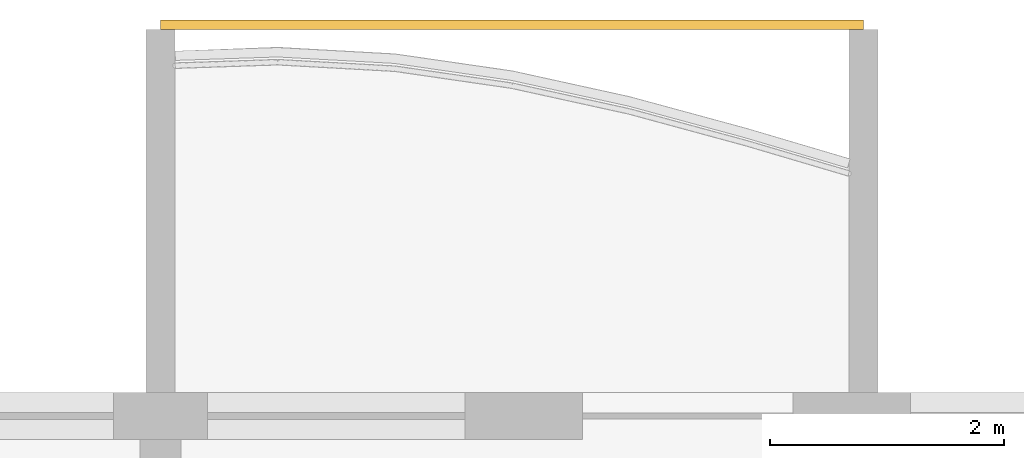
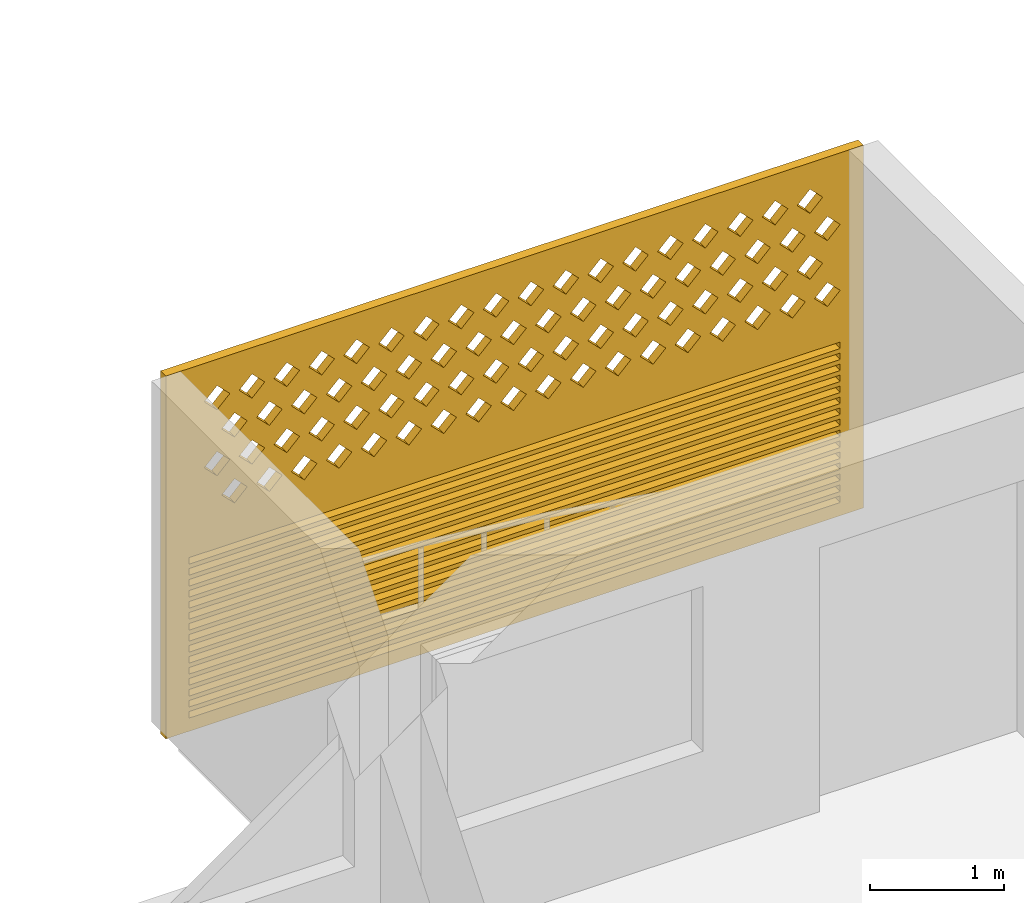
# One storey, part 21 of 26: 1 covering.
"""IFC4 building model written with IfcOpenShell, lengths in metres."""

from ifc_helpers import new_model, si_unit, direction, frame, origin, place, context, subcontext, project, spatial, polyline, outline, extrude, source, transform, mapped, material, material_profile, profile_set, type_object, element, save


model = new_model("IFC4")

# Units and contexts
model_context = context("Model", 3, precision=1e-05, world=origin(), true_north=direction((0.0, 1.0)))
body_context = subcontext(model_context, "Body", "Model", "MODEL_VIEW")
ifc_project = project(units=[si_unit("LENGTHUNIT", "METRE"), si_unit("AREAUNIT", "SQUARE_METRE"), si_unit("VOLUMEUNIT", "CUBIC_METRE"), si_unit("PLANEANGLEUNIT", "RADIAN"), si_unit("MASSUNIT", "GRAM", prefix="KILO")], contexts=[model_context])

# Site, building, storey
site_placement = place(None, origin())
site = spatial("IfcSite", under=ifc_project, at=site_placement, CompositionType="ELEMENT")
building_placement = place(site_placement, origin())
building = spatial("IfcBuilding", under=site, at=building_placement, Name="Poui Terraces", CompositionType="ELEMENT")
storey_placement = place(building_placement, frame((0.0, 0.0, 96.0)))
storey = spatial("IfcBuildingStorey", under=building, at=storey_placement, Name="L26", CompositionType="ELEMENT", Elevation=96.0)

# Covering
ifc_material = material(Name="Terracotta screen", Category="masonry")
ifc_material_profile = material_profile(ifc_material, outline(polyline([(-3.0, -1.64990234375), (3.0, -1.64990234375), (3.0, 1.64990234375), (-3.0, 1.64990234375), (-3.0, -1.64990234375)]), holes=[polyline([(-2.800048828125, 0.39990234375), (-2.68994140625, 0.2900390625), (-2.580078125, 0.39990234375), (-2.68994140625, 0.510009765625), (-2.800048828125, 0.39990234375)]), polyline([(-2.5, 0.39990234375), (-2.389892578125, 0.2900390625), (-2.280029296875, 0.39990234375), (-2.389892578125, 0.510009765625), (-2.5, 0.39990234375)]), polyline([(-2.199951171875, 0.39990234375), (-2.090087890625, 0.2900390625), (-1.97998046875, 0.39990234375), (-2.090087890625, 0.510009765625), (-2.199951171875, 0.39990234375)]), polyline([(-1.89990234375, 0.39990234375), (-1.7900390625, 0.2900390625), (-1.679931640625, 0.39990234375), (-1.7900390625, 0.510009765625), (-1.89990234375, 0.39990234375)]), polyline([(-1.60009765625, 0.39990234375), (-1.489990234375, 0.2900390625), (-1.3798828125, 0.39990234375), (-1.489990234375, 0.510009765625), (-1.60009765625, 0.39990234375)]), polyline([(-1.300048828125, 0.39990234375), (-1.18994140625, 0.2900390625), (-1.080078125, 0.39990234375), (-1.18994140625, 0.510009765625), (-1.300048828125, 0.39990234375)]), polyline([(-1.0, 0.39990234375), (-0.889892578125, 0.2900390625), (-0.780029296875, 0.39990234375), (-0.889892578125, 0.510009765625), (-1.0, 0.39990234375)]), polyline([(-0.699951171875, 0.39990234375), (-0.590087890625, 0.2900390625), (-0.47998046875, 0.39990234375), (-0.590087890625, 0.510009765625), (-0.699951171875, 0.39990234375)]), polyline([(-0.39990234375, 0.39990234375), (-0.2900390625, 0.2900390625), (-0.179931640625, 0.39990234375), (-0.2900390625, 0.510009765625), (-0.39990234375, 0.39990234375)]), polyline([(-0.10009765625, 0.39990234375), (0.010009765625, 0.2900390625), (0.1201171875, 0.39990234375), (0.010009765625, 0.510009765625), (-0.10009765625, 0.39990234375)]), polyline([(0.199951171875, 0.39990234375), (0.31005859375, 0.2900390625), (0.419921875, 0.39990234375), (0.31005859375, 0.510009765625), (0.199951171875, 0.39990234375)]), polyline([(0.5, 0.39990234375), (0.610107421875, 0.2900390625), (0.719970703125, 0.39990234375), (0.610107421875, 0.510009765625), (0.5, 0.39990234375)]), polyline([(0.800048828125, 0.39990234375), (0.909912109375, 0.2900390625), (1.02001953125, 0.39990234375), (0.909912109375, 0.510009765625), (0.800048828125, 0.39990234375)]), polyline([(1.10009765625, 0.39990234375), (1.2099609375, 0.2900390625), (1.320068359375, 0.39990234375), (1.2099609375, 0.510009765625), (1.10009765625, 0.39990234375)]), polyline([(1.39990234375, 0.39990234375), (1.510009765625, 0.2900390625), (1.6201171875, 0.39990234375), (1.510009765625, 0.510009765625), (1.39990234375, 0.39990234375)]), polyline([(1.699951171875, 0.39990234375), (1.81005859375, 0.2900390625), (1.919921875, 0.39990234375), (1.81005859375, 0.510009765625), (1.699951171875, 0.39990234375)]), polyline([(2.0, 0.39990234375), (2.110107421875, 0.2900390625), (2.219970703125, 0.39990234375), (2.110107421875, 0.510009765625), (2.0, 0.39990234375)]), polyline([(2.300048828125, 0.39990234375), (2.409912109375, 0.2900390625), (2.52001953125, 0.39990234375), (2.409912109375, 0.510009765625), (2.300048828125, 0.39990234375)]), polyline([(-2.64990234375, 0.699951171875), (-2.5400390625, 0.590087890625), (-2.429931640625, 0.699951171875), (-2.5400390625, 0.81005859375), (-2.64990234375, 0.699951171875)]), polyline([(-2.35009765625, 0.699951171875), (-2.239990234375, 0.590087890625), (-2.1298828125, 0.699951171875), (-2.239990234375, 0.81005859375), (-2.35009765625, 0.699951171875)]), polyline([(-2.050048828125, 0.699951171875), (-1.93994140625, 0.590087890625), (-1.830078125, 0.699951171875), (-1.93994140625, 0.81005859375), (-2.050048828125, 0.699951171875)]), polyline([(-1.75, 0.699951171875), (-1.639892578125, 0.590087890625), (-1.530029296875, 0.699951171875), (-1.639892578125, 0.81005859375), (-1.75, 0.699951171875)]), polyline([(-1.449951171875, 0.699951171875), (-1.340087890625, 0.590087890625), (-1.22998046875, 0.699951171875), (-1.340087890625, 0.81005859375), (-1.449951171875, 0.699951171875)]), polyline([(-1.14990234375, 0.699951171875), (-1.0400390625, 0.590087890625), (-0.929931640625, 0.699951171875), (-1.0400390625, 0.81005859375), (-1.14990234375, 0.699951171875)]), polyline([(-0.85009765625, 0.699951171875), (-0.739990234375, 0.590087890625), (-0.6298828125, 0.699951171875), (-0.739990234375, 0.81005859375), (-0.85009765625, 0.699951171875)]), polyline([(-0.550048828125, 0.699951171875), (-0.43994140625, 0.590087890625), (-0.330078125, 0.699951171875), (-0.43994140625, 0.81005859375), (-0.550048828125, 0.699951171875)]), polyline([(-0.25, 0.699951171875), (-0.139892578125, 0.590087890625), (-0.030029296875, 0.699951171875), (-0.139892578125, 0.81005859375), (-0.25, 0.699951171875)]), polyline([(0.050048828125, 0.699951171875), (0.159912109375, 0.590087890625), (0.27001953125, 0.699951171875), (0.159912109375, 0.81005859375), (0.050048828125, 0.699951171875)]), polyline([(0.35009765625, 0.699951171875), (0.4599609375, 0.590087890625), (0.570068359375, 0.699951171875), (0.4599609375, 0.81005859375), (0.35009765625, 0.699951171875)]), polyline([(0.64990234375, 0.699951171875), (0.760009765625, 0.590087890625), (0.8701171875, 0.699951171875), (0.760009765625, 0.81005859375), (0.64990234375, 0.699951171875)]), polyline([(0.949951171875, 0.699951171875), (1.06005859375, 0.590087890625), (1.169921875, 0.699951171875), (1.06005859375, 0.81005859375), (0.949951171875, 0.699951171875)]), polyline([(1.25, 0.699951171875), (1.360107421875, 0.590087890625), (1.469970703125, 0.699951171875), (1.360107421875, 0.81005859375), (1.25, 0.699951171875)]), polyline([(1.550048828125, 0.699951171875), (1.659912109375, 0.590087890625), (1.77001953125, 0.699951171875), (1.659912109375, 0.81005859375), (1.550048828125, 0.699951171875)]), polyline([(1.85009765625, 0.699951171875), (1.9599609375, 0.590087890625), (2.070068359375, 0.699951171875), (1.9599609375, 0.81005859375), (1.85009765625, 0.699951171875)]), polyline([(2.14990234375, 0.699951171875), (2.260009765625, 0.590087890625), (2.3701171875, 0.699951171875), (2.260009765625, 0.81005859375), (2.14990234375, 0.699951171875)]), polyline([(2.449951171875, 0.699951171875), (2.56005859375, 0.590087890625), (2.669921875, 0.699951171875), (2.56005859375, 0.81005859375), (2.449951171875, 0.699951171875)]), polyline([(-2.800048828125, 1.0), (-2.68994140625, 0.889892578125), (-2.580078125, 1.0), (-2.68994140625, 1.110107421875), (-2.800048828125, 1.0)]), polyline([(-2.5, 1.0), (-2.389892578125, 0.889892578125), (-2.280029296875, 1.0), (-2.389892578125, 1.110107421875), (-2.5, 1.0)]), polyline([(-2.199951171875, 1.0), (-2.090087890625, 0.889892578125), (-1.97998046875, 1.0), (-2.090087890625, 1.110107421875), (-2.199951171875, 1.0)]), polyline([(-1.89990234375, 1.0), (-1.7900390625, 0.889892578125), (-1.679931640625, 1.0), (-1.7900390625, 1.110107421875), (-1.89990234375, 1.0)]), polyline([(-1.60009765625, 1.0), (-1.489990234375, 0.889892578125), (-1.3798828125, 1.0), (-1.489990234375, 1.110107421875), (-1.60009765625, 1.0)]), polyline([(-1.300048828125, 1.0), (-1.18994140625, 0.889892578125), (-1.080078125, 1.0), (-1.18994140625, 1.110107421875), (-1.300048828125, 1.0)]), polyline([(-1.0, 1.0), (-0.889892578125, 0.889892578125), (-0.780029296875, 1.0), (-0.889892578125, 1.110107421875), (-1.0, 1.0)]), polyline([(-0.699951171875, 1.0), (-0.590087890625, 0.889892578125), (-0.47998046875, 1.0), (-0.590087890625, 1.110107421875), (-0.699951171875, 1.0)]), polyline([(-0.39990234375, 1.0), (-0.2900390625, 0.889892578125), (-0.179931640625, 1.0), (-0.2900390625, 1.110107421875), (-0.39990234375, 1.0)]), polyline([(-0.10009765625, 1.0), (0.010009765625, 0.889892578125), (0.1201171875, 1.0), (0.010009765625, 1.110107421875), (-0.10009765625, 1.0)]), polyline([(0.199951171875, 1.0), (0.31005859375, 0.889892578125), (0.419921875, 1.0), (0.31005859375, 1.110107421875), (0.199951171875, 1.0)]), polyline([(0.5, 1.0), (0.610107421875, 0.889892578125), (0.719970703125, 1.0), (0.610107421875, 1.110107421875), (0.5, 1.0)]), polyline([(0.800048828125, 1.0), (0.909912109375, 0.889892578125), (1.02001953125, 1.0), (0.909912109375, 1.110107421875), (0.800048828125, 1.0)]), polyline([(1.10009765625, 1.0), (1.2099609375, 0.889892578125), (1.320068359375, 1.0), (1.2099609375, 1.110107421875), (1.10009765625, 1.0)]), polyline([(1.39990234375, 1.0), (1.510009765625, 0.889892578125), (1.6201171875, 1.0), (1.510009765625, 1.110107421875), (1.39990234375, 1.0)]), polyline([(1.699951171875, 1.0), (1.81005859375, 0.889892578125), (1.919921875, 1.0), (1.81005859375, 1.110107421875), (1.699951171875, 1.0)]), polyline([(2.0, 1.0), (2.110107421875, 0.889892578125), (2.219970703125, 1.0), (2.110107421875, 1.110107421875), (2.0, 1.0)]), polyline([(2.300048828125, 1.0), (2.409912109375, 0.889892578125), (2.52001953125, 1.0), (2.409912109375, 1.110107421875), (2.300048828125, 1.0)]), polyline([(-2.64990234375, 1.300048828125), (-2.5400390625, 1.18994140625), (-2.429931640625, 1.300048828125), (-2.5400390625, 1.409912109375), (-2.64990234375, 1.300048828125)]), polyline([(-2.35009765625, 1.300048828125), (-2.239990234375, 1.18994140625), (-2.1298828125, 1.300048828125), (-2.239990234375, 1.409912109375), (-2.35009765625, 1.300048828125)]), polyline([(-2.050048828125, 1.300048828125), (-1.93994140625, 1.18994140625), (-1.830078125, 1.300048828125), (-1.93994140625, 1.409912109375), (-2.050048828125, 1.300048828125)]), polyline([(-1.75, 1.300048828125), (-1.639892578125, 1.18994140625), (-1.530029296875, 1.300048828125), (-1.639892578125, 1.409912109375), (-1.75, 1.300048828125)]), polyline([(-1.449951171875, 1.300048828125), (-1.340087890625, 1.18994140625), (-1.22998046875, 1.300048828125), (-1.340087890625, 1.409912109375), (-1.449951171875, 1.300048828125)]), polyline([(-1.14990234375, 1.300048828125), (-1.0400390625, 1.18994140625), (-0.929931640625, 1.300048828125), (-1.0400390625, 1.409912109375), (-1.14990234375, 1.300048828125)]), polyline([(-0.85009765625, 1.300048828125), (-0.739990234375, 1.18994140625), (-0.6298828125, 1.300048828125), (-0.739990234375, 1.409912109375), (-0.85009765625, 1.300048828125)]), polyline([(-0.550048828125, 1.300048828125), (-0.43994140625, 1.18994140625), (-0.330078125, 1.300048828125), (-0.43994140625, 1.409912109375), (-0.550048828125, 1.300048828125)]), polyline([(-0.25, 1.300048828125), (-0.139892578125, 1.18994140625), (-0.030029296875, 1.300048828125), (-0.139892578125, 1.409912109375), (-0.25, 1.300048828125)]), polyline([(0.050048828125, 1.300048828125), (0.159912109375, 1.18994140625), (0.27001953125, 1.300048828125), (0.159912109375, 1.409912109375), (0.050048828125, 1.300048828125)]), polyline([(0.35009765625, 1.300048828125), (0.4599609375, 1.18994140625), (0.570068359375, 1.300048828125), (0.4599609375, 1.409912109375), (0.35009765625, 1.300048828125)]), polyline([(0.64990234375, 1.300048828125), (0.760009765625, 1.18994140625), (0.8701171875, 1.300048828125), (0.760009765625, 1.409912109375), (0.64990234375, 1.300048828125)]), polyline([(0.949951171875, 1.300048828125), (1.06005859375, 1.18994140625), (1.169921875, 1.300048828125), (1.06005859375, 1.409912109375), (0.949951171875, 1.300048828125)]), polyline([(1.25, 1.300048828125), (1.360107421875, 1.18994140625), (1.469970703125, 1.300048828125), (1.360107421875, 1.409912109375), (1.25, 1.300048828125)]), polyline([(1.550048828125, 1.300048828125), (1.659912109375, 1.18994140625), (1.77001953125, 1.300048828125), (1.659912109375, 1.409912109375), (1.550048828125, 1.300048828125)]), polyline([(1.85009765625, 1.300048828125), (1.9599609375, 1.18994140625), (2.070068359375, 1.300048828125), (1.9599609375, 1.409912109375), (1.85009765625, 1.300048828125)]), polyline([(2.14990234375, 1.300048828125), (2.260009765625, 1.18994140625), (2.3701171875, 1.300048828125), (2.260009765625, 1.409912109375), (2.14990234375, 1.300048828125)]), polyline([(2.449951171875, 1.300048828125), (2.56005859375, 1.18994140625), (2.669921875, 1.300048828125), (2.56005859375, 1.409912109375), (2.449951171875, 1.300048828125)]), polyline([(-2.800048828125, -1.530029296875), (2.800048828125, -1.530029296875), (2.800048828125, -1.469970703125), (-2.800048828125, -1.469970703125), (-2.800048828125, -1.530029296875)]), polyline([(-2.800048828125, -1.429931640625), (2.800048828125, -1.429931640625), (2.800048828125, -1.3701171875), (-2.800048828125, -1.3701171875), (-2.800048828125, -1.429931640625)]), polyline([(-2.800048828125, -1.330078125), (2.800048828125, -1.330078125), (2.800048828125, -1.27001953125), (-2.800048828125, -1.27001953125), (-2.800048828125, -1.330078125)]), polyline([(-2.800048828125, -1.22998046875), (2.800048828125, -1.22998046875), (2.800048828125, -1.169921875), (-2.800048828125, -1.169921875), (-2.800048828125, -1.22998046875)]), polyline([(-2.800048828125, -1.1298828125), (2.800048828125, -1.1298828125), (2.800048828125, -1.070068359375), (-2.800048828125, -1.070068359375), (-2.800048828125, -1.1298828125)]), polyline([(-2.800048828125, -1.030029296875), (2.800048828125, -1.030029296875), (2.800048828125, -0.969970703125), (-2.800048828125, -0.969970703125), (-2.800048828125, -1.030029296875)]), polyline([(-2.800048828125, -0.929931640625), (2.800048828125, -0.929931640625), (2.800048828125, -0.8701171875), (-2.800048828125, -0.8701171875), (-2.800048828125, -0.929931640625)]), polyline([(-2.800048828125, -0.830078125), (2.800048828125, -0.830078125), (2.800048828125, -0.77001953125), (-2.800048828125, -0.77001953125), (-2.800048828125, -0.830078125)]), polyline([(-2.800048828125, -0.72998046875), (2.800048828125, -0.72998046875), (2.800048828125, -0.669921875), (-2.800048828125, -0.669921875), (-2.800048828125, -0.72998046875)]), polyline([(-2.800048828125, -0.6298828125), (2.800048828125, -0.6298828125), (2.800048828125, -0.570068359375), (-2.800048828125, -0.570068359375), (-2.800048828125, -0.6298828125)]), polyline([(-2.800048828125, -0.530029296875), (2.800048828125, -0.530029296875), (2.800048828125, -0.469970703125), (-2.800048828125, -0.469970703125), (-2.800048828125, -0.530029296875)]), polyline([(-2.800048828125, -0.429931640625), (2.800048828125, -0.429931640625), (2.800048828125, -0.3701171875), (-2.800048828125, -0.3701171875), (-2.800048828125, -0.429931640625)]), polyline([(-2.800048828125, -0.330078125), (2.800048828125, -0.330078125), (2.800048828125, -0.27001953125), (-2.800048828125, -0.27001953125), (-2.800048828125, -0.330078125)]), polyline([(-2.800048828125, -0.22998046875), (2.800048828125, -0.22998046875), (2.800048828125, -0.169921875), (-2.800048828125, -0.169921875), (-2.800048828125, -0.22998046875)]), polyline([(-2.800048828125, -0.1298828125), (2.800048828125, -0.1298828125), (2.800048828125, -0.070068359375), (-2.800048828125, -0.070068359375), (-2.800048828125, -0.1298828125)])]), Name="TERRACOTTA SCREEN AND JALOUSIE LOUVRE 6000X3300")
ifc_profile_set = profile_set([ifc_material_profile], Name="Terracotta screen")
covering_type = type_object("IfcCoveringType", Name="TERRACOTTA SCREEN AND JALOUSIE LOUVRE 6000X3300", PredefinedType="CLADDING", material=ifc_profile_set)
shared_shape = source(origin(), body_context, "Body", "SweptSolid", [
    extrude(outline(polyline([(-3.0, -1.64990234375), (3.0, -1.64990234375), (3.0, 1.64990234375), (-3.0, 1.64990234375), (-3.0, -1.64990234375)]), holes=[polyline([(-2.800048828125, 0.39990234375), (-2.68994140625, 0.2900390625), (-2.580078125, 0.39990234375), (-2.68994140625, 0.510009765625), (-2.800048828125, 0.39990234375)]), polyline([(-2.5, 0.39990234375), (-2.389892578125, 0.2900390625), (-2.280029296875, 0.39990234375), (-2.389892578125, 0.510009765625), (-2.5, 0.39990234375)]), polyline([(-2.199951171875, 0.39990234375), (-2.090087890625, 0.2900390625), (-1.97998046875, 0.39990234375), (-2.090087890625, 0.510009765625), (-2.199951171875, 0.39990234375)]), polyline([(-1.89990234375, 0.39990234375), (-1.7900390625, 0.2900390625), (-1.679931640625, 0.39990234375), (-1.7900390625, 0.510009765625), (-1.89990234375, 0.39990234375)]), polyline([(-1.60009765625, 0.39990234375), (-1.489990234375, 0.2900390625), (-1.3798828125, 0.39990234375), (-1.489990234375, 0.510009765625), (-1.60009765625, 0.39990234375)]), polyline([(-1.300048828125, 0.39990234375), (-1.18994140625, 0.2900390625), (-1.080078125, 0.39990234375), (-1.18994140625, 0.510009765625), (-1.300048828125, 0.39990234375)]), polyline([(-1.0, 0.39990234375), (-0.889892578125, 0.2900390625), (-0.780029296875, 0.39990234375), (-0.889892578125, 0.510009765625), (-1.0, 0.39990234375)]), polyline([(-0.699951171875, 0.39990234375), (-0.590087890625, 0.2900390625), (-0.47998046875, 0.39990234375), (-0.590087890625, 0.510009765625), (-0.699951171875, 0.39990234375)]), polyline([(-0.39990234375, 0.39990234375), (-0.2900390625, 0.2900390625), (-0.179931640625, 0.39990234375), (-0.2900390625, 0.510009765625), (-0.39990234375, 0.39990234375)]), polyline([(-0.10009765625, 0.39990234375), (0.010009765625, 0.2900390625), (0.1201171875, 0.39990234375), (0.010009765625, 0.510009765625), (-0.10009765625, 0.39990234375)]), polyline([(0.199951171875, 0.39990234375), (0.31005859375, 0.2900390625), (0.419921875, 0.39990234375), (0.31005859375, 0.510009765625), (0.199951171875, 0.39990234375)]), polyline([(0.5, 0.39990234375), (0.610107421875, 0.2900390625), (0.719970703125, 0.39990234375), (0.610107421875, 0.510009765625), (0.5, 0.39990234375)]), polyline([(0.800048828125, 0.39990234375), (0.909912109375, 0.2900390625), (1.02001953125, 0.39990234375), (0.909912109375, 0.510009765625), (0.800048828125, 0.39990234375)]), polyline([(1.10009765625, 0.39990234375), (1.2099609375, 0.2900390625), (1.320068359375, 0.39990234375), (1.2099609375, 0.510009765625), (1.10009765625, 0.39990234375)]), polyline([(1.39990234375, 0.39990234375), (1.510009765625, 0.2900390625), (1.6201171875, 0.39990234375), (1.510009765625, 0.510009765625), (1.39990234375, 0.39990234375)]), polyline([(1.699951171875, 0.39990234375), (1.81005859375, 0.2900390625), (1.919921875, 0.39990234375), (1.81005859375, 0.510009765625), (1.699951171875, 0.39990234375)]), polyline([(2.0, 0.39990234375), (2.110107421875, 0.2900390625), (2.219970703125, 0.39990234375), (2.110107421875, 0.510009765625), (2.0, 0.39990234375)]), polyline([(2.300048828125, 0.39990234375), (2.409912109375, 0.2900390625), (2.52001953125, 0.39990234375), (2.409912109375, 0.510009765625), (2.300048828125, 0.39990234375)]), polyline([(-2.64990234375, 0.699951171875), (-2.5400390625, 0.590087890625), (-2.429931640625, 0.699951171875), (-2.5400390625, 0.81005859375), (-2.64990234375, 0.699951171875)]), polyline([(-2.35009765625, 0.699951171875), (-2.239990234375, 0.590087890625), (-2.1298828125, 0.699951171875), (-2.239990234375, 0.81005859375), (-2.35009765625, 0.699951171875)]), polyline([(-2.050048828125, 0.699951171875), (-1.93994140625, 0.590087890625), (-1.830078125, 0.699951171875), (-1.93994140625, 0.81005859375), (-2.050048828125, 0.699951171875)]), polyline([(-1.75, 0.699951171875), (-1.639892578125, 0.590087890625), (-1.530029296875, 0.699951171875), (-1.639892578125, 0.81005859375), (-1.75, 0.699951171875)]), polyline([(-1.449951171875, 0.699951171875), (-1.340087890625, 0.590087890625), (-1.22998046875, 0.699951171875), (-1.340087890625, 0.81005859375), (-1.449951171875, 0.699951171875)]), polyline([(-1.14990234375, 0.699951171875), (-1.0400390625, 0.590087890625), (-0.929931640625, 0.699951171875), (-1.0400390625, 0.81005859375), (-1.14990234375, 0.699951171875)]), polyline([(-0.85009765625, 0.699951171875), (-0.739990234375, 0.590087890625), (-0.6298828125, 0.699951171875), (-0.739990234375, 0.81005859375), (-0.85009765625, 0.699951171875)]), polyline([(-0.550048828125, 0.699951171875), (-0.43994140625, 0.590087890625), (-0.330078125, 0.699951171875), (-0.43994140625, 0.81005859375), (-0.550048828125, 0.699951171875)]), polyline([(-0.25, 0.699951171875), (-0.139892578125, 0.590087890625), (-0.030029296875, 0.699951171875), (-0.139892578125, 0.81005859375), (-0.25, 0.699951171875)]), polyline([(0.050048828125, 0.699951171875), (0.159912109375, 0.590087890625), (0.27001953125, 0.699951171875), (0.159912109375, 0.81005859375), (0.050048828125, 0.699951171875)]), polyline([(0.35009765625, 0.699951171875), (0.4599609375, 0.590087890625), (0.570068359375, 0.699951171875), (0.4599609375, 0.81005859375), (0.35009765625, 0.699951171875)]), polyline([(0.64990234375, 0.699951171875), (0.760009765625, 0.590087890625), (0.8701171875, 0.699951171875), (0.760009765625, 0.81005859375), (0.64990234375, 0.699951171875)]), polyline([(0.949951171875, 0.699951171875), (1.06005859375, 0.590087890625), (1.169921875, 0.699951171875), (1.06005859375, 0.81005859375), (0.949951171875, 0.699951171875)]), polyline([(1.25, 0.699951171875), (1.360107421875, 0.590087890625), (1.469970703125, 0.699951171875), (1.360107421875, 0.81005859375), (1.25, 0.699951171875)]), polyline([(1.550048828125, 0.699951171875), (1.659912109375, 0.590087890625), (1.77001953125, 0.699951171875), (1.659912109375, 0.81005859375), (1.550048828125, 0.699951171875)]), polyline([(1.85009765625, 0.699951171875), (1.9599609375, 0.590087890625), (2.070068359375, 0.699951171875), (1.9599609375, 0.81005859375), (1.85009765625, 0.699951171875)]), polyline([(2.14990234375, 0.699951171875), (2.260009765625, 0.590087890625), (2.3701171875, 0.699951171875), (2.260009765625, 0.81005859375), (2.14990234375, 0.699951171875)]), polyline([(2.449951171875, 0.699951171875), (2.56005859375, 0.590087890625), (2.669921875, 0.699951171875), (2.56005859375, 0.81005859375), (2.449951171875, 0.699951171875)]), polyline([(-2.800048828125, 1.0), (-2.68994140625, 0.889892578125), (-2.580078125, 1.0), (-2.68994140625, 1.110107421875), (-2.800048828125, 1.0)]), polyline([(-2.5, 1.0), (-2.389892578125, 0.889892578125), (-2.280029296875, 1.0), (-2.389892578125, 1.110107421875), (-2.5, 1.0)]), polyline([(-2.199951171875, 1.0), (-2.090087890625, 0.889892578125), (-1.97998046875, 1.0), (-2.090087890625, 1.110107421875), (-2.199951171875, 1.0)]), polyline([(-1.89990234375, 1.0), (-1.7900390625, 0.889892578125), (-1.679931640625, 1.0), (-1.7900390625, 1.110107421875), (-1.89990234375, 1.0)]), polyline([(-1.60009765625, 1.0), (-1.489990234375, 0.889892578125), (-1.3798828125, 1.0), (-1.489990234375, 1.110107421875), (-1.60009765625, 1.0)]), polyline([(-1.300048828125, 1.0), (-1.18994140625, 0.889892578125), (-1.080078125, 1.0), (-1.18994140625, 1.110107421875), (-1.300048828125, 1.0)]), polyline([(-1.0, 1.0), (-0.889892578125, 0.889892578125), (-0.780029296875, 1.0), (-0.889892578125, 1.110107421875), (-1.0, 1.0)]), polyline([(-0.699951171875, 1.0), (-0.590087890625, 0.889892578125), (-0.47998046875, 1.0), (-0.590087890625, 1.110107421875), (-0.699951171875, 1.0)]), polyline([(-0.39990234375, 1.0), (-0.2900390625, 0.889892578125), (-0.179931640625, 1.0), (-0.2900390625, 1.110107421875), (-0.39990234375, 1.0)]), polyline([(-0.10009765625, 1.0), (0.010009765625, 0.889892578125), (0.1201171875, 1.0), (0.010009765625, 1.110107421875), (-0.10009765625, 1.0)]), polyline([(0.199951171875, 1.0), (0.31005859375, 0.889892578125), (0.419921875, 1.0), (0.31005859375, 1.110107421875), (0.199951171875, 1.0)]), polyline([(0.5, 1.0), (0.610107421875, 0.889892578125), (0.719970703125, 1.0), (0.610107421875, 1.110107421875), (0.5, 1.0)]), polyline([(0.800048828125, 1.0), (0.909912109375, 0.889892578125), (1.02001953125, 1.0), (0.909912109375, 1.110107421875), (0.800048828125, 1.0)]), polyline([(1.10009765625, 1.0), (1.2099609375, 0.889892578125), (1.320068359375, 1.0), (1.2099609375, 1.110107421875), (1.10009765625, 1.0)]), polyline([(1.39990234375, 1.0), (1.510009765625, 0.889892578125), (1.6201171875, 1.0), (1.510009765625, 1.110107421875), (1.39990234375, 1.0)]), polyline([(1.699951171875, 1.0), (1.81005859375, 0.889892578125), (1.919921875, 1.0), (1.81005859375, 1.110107421875), (1.699951171875, 1.0)]), polyline([(2.0, 1.0), (2.110107421875, 0.889892578125), (2.219970703125, 1.0), (2.110107421875, 1.110107421875), (2.0, 1.0)]), polyline([(2.300048828125, 1.0), (2.409912109375, 0.889892578125), (2.52001953125, 1.0), (2.409912109375, 1.110107421875), (2.300048828125, 1.0)]), polyline([(-2.64990234375, 1.300048828125), (-2.5400390625, 1.18994140625), (-2.429931640625, 1.300048828125), (-2.5400390625, 1.409912109375), (-2.64990234375, 1.300048828125)]), polyline([(-2.35009765625, 1.300048828125), (-2.239990234375, 1.18994140625), (-2.1298828125, 1.300048828125), (-2.239990234375, 1.409912109375), (-2.35009765625, 1.300048828125)]), polyline([(-2.050048828125, 1.300048828125), (-1.93994140625, 1.18994140625), (-1.830078125, 1.300048828125), (-1.93994140625, 1.409912109375), (-2.050048828125, 1.300048828125)]), polyline([(-1.75, 1.300048828125), (-1.639892578125, 1.18994140625), (-1.530029296875, 1.300048828125), (-1.639892578125, 1.409912109375), (-1.75, 1.300048828125)]), polyline([(-1.449951171875, 1.300048828125), (-1.340087890625, 1.18994140625), (-1.22998046875, 1.300048828125), (-1.340087890625, 1.409912109375), (-1.449951171875, 1.300048828125)]), polyline([(-1.14990234375, 1.300048828125), (-1.0400390625, 1.18994140625), (-0.929931640625, 1.300048828125), (-1.0400390625, 1.409912109375), (-1.14990234375, 1.300048828125)]), polyline([(-0.85009765625, 1.300048828125), (-0.739990234375, 1.18994140625), (-0.6298828125, 1.300048828125), (-0.739990234375, 1.409912109375), (-0.85009765625, 1.300048828125)]), polyline([(-0.550048828125, 1.300048828125), (-0.43994140625, 1.18994140625), (-0.330078125, 1.300048828125), (-0.43994140625, 1.409912109375), (-0.550048828125, 1.300048828125)]), polyline([(-0.25, 1.300048828125), (-0.139892578125, 1.18994140625), (-0.030029296875, 1.300048828125), (-0.139892578125, 1.409912109375), (-0.25, 1.300048828125)]), polyline([(0.050048828125, 1.300048828125), (0.159912109375, 1.18994140625), (0.27001953125, 1.300048828125), (0.159912109375, 1.409912109375), (0.050048828125, 1.300048828125)]), polyline([(0.35009765625, 1.300048828125), (0.4599609375, 1.18994140625), (0.570068359375, 1.300048828125), (0.4599609375, 1.409912109375), (0.35009765625, 1.300048828125)]), polyline([(0.64990234375, 1.300048828125), (0.760009765625, 1.18994140625), (0.8701171875, 1.300048828125), (0.760009765625, 1.409912109375), (0.64990234375, 1.300048828125)]), polyline([(0.949951171875, 1.300048828125), (1.06005859375, 1.18994140625), (1.169921875, 1.300048828125), (1.06005859375, 1.409912109375), (0.949951171875, 1.300048828125)]), polyline([(1.25, 1.300048828125), (1.360107421875, 1.18994140625), (1.469970703125, 1.300048828125), (1.360107421875, 1.409912109375), (1.25, 1.300048828125)]), polyline([(1.550048828125, 1.300048828125), (1.659912109375, 1.18994140625), (1.77001953125, 1.300048828125), (1.659912109375, 1.409912109375), (1.550048828125, 1.300048828125)]), polyline([(1.85009765625, 1.300048828125), (1.9599609375, 1.18994140625), (2.070068359375, 1.300048828125), (1.9599609375, 1.409912109375), (1.85009765625, 1.300048828125)]), polyline([(2.14990234375, 1.300048828125), (2.260009765625, 1.18994140625), (2.3701171875, 1.300048828125), (2.260009765625, 1.409912109375), (2.14990234375, 1.300048828125)]), polyline([(2.449951171875, 1.300048828125), (2.56005859375, 1.18994140625), (2.669921875, 1.300048828125), (2.56005859375, 1.409912109375), (2.449951171875, 1.300048828125)]), polyline([(-2.800048828125, -1.530029296875), (2.800048828125, -1.530029296875), (2.800048828125, -1.469970703125), (-2.800048828125, -1.469970703125), (-2.800048828125, -1.530029296875)]), polyline([(-2.800048828125, -1.429931640625), (2.800048828125, -1.429931640625), (2.800048828125, -1.3701171875), (-2.800048828125, -1.3701171875), (-2.800048828125, -1.429931640625)]), polyline([(-2.800048828125, -1.330078125), (2.800048828125, -1.330078125), (2.800048828125, -1.27001953125), (-2.800048828125, -1.27001953125), (-2.800048828125, -1.330078125)]), polyline([(-2.800048828125, -1.22998046875), (2.800048828125, -1.22998046875), (2.800048828125, -1.169921875), (-2.800048828125, -1.169921875), (-2.800048828125, -1.22998046875)]), polyline([(-2.800048828125, -1.1298828125), (2.800048828125, -1.1298828125), (2.800048828125, -1.070068359375), (-2.800048828125, -1.070068359375), (-2.800048828125, -1.1298828125)]), polyline([(-2.800048828125, -1.030029296875), (2.800048828125, -1.030029296875), (2.800048828125, -0.969970703125), (-2.800048828125, -0.969970703125), (-2.800048828125, -1.030029296875)]), polyline([(-2.800048828125, -0.929931640625), (2.800048828125, -0.929931640625), (2.800048828125, -0.8701171875), (-2.800048828125, -0.8701171875), (-2.800048828125, -0.929931640625)]), polyline([(-2.800048828125, -0.830078125), (2.800048828125, -0.830078125), (2.800048828125, -0.77001953125), (-2.800048828125, -0.77001953125), (-2.800048828125, -0.830078125)]), polyline([(-2.800048828125, -0.72998046875), (2.800048828125, -0.72998046875), (2.800048828125, -0.669921875), (-2.800048828125, -0.669921875), (-2.800048828125, -0.72998046875)]), polyline([(-2.800048828125, -0.6298828125), (2.800048828125, -0.6298828125), (2.800048828125, -0.570068359375), (-2.800048828125, -0.570068359375), (-2.800048828125, -0.6298828125)]), polyline([(-2.800048828125, -0.530029296875), (2.800048828125, -0.530029296875), (2.800048828125, -0.469970703125), (-2.800048828125, -0.469970703125), (-2.800048828125, -0.530029296875)]), polyline([(-2.800048828125, -0.429931640625), (2.800048828125, -0.429931640625), (2.800048828125, -0.3701171875), (-2.800048828125, -0.3701171875), (-2.800048828125, -0.429931640625)]), polyline([(-2.800048828125, -0.330078125), (2.800048828125, -0.330078125), (2.800048828125, -0.27001953125), (-2.800048828125, -0.27001953125), (-2.800048828125, -0.330078125)]), polyline([(-2.800048828125, -0.22998046875), (2.800048828125, -0.22998046875), (2.800048828125, -0.169921875), (-2.800048828125, -0.169921875), (-2.800048828125, -0.22998046875)]), polyline([(-2.800048828125, -0.1298828125), (2.800048828125, -0.1298828125), (2.800048828125, -0.070068359375), (-2.800048828125, -0.070068359375), (-2.800048828125, -0.1298828125)])]), origin(), (0.0, 0.0, 1.0), 0.080078125),
])
covering_placement = place(storey_placement, frame((27.0, 46.89990234375, 1.449951171875), z_axis=(0.0, 1.0, 0.0), x_axis=(-1.0, 0.0, 0.0)))
element("IfcCovering", 1, at=covering_placement, inside=storey, type_object=covering_type, Name="SOLAR SCREEN AND JALOUSIE LOUVRE", PredefinedType="CLADDING", context=body_context, shape_type="MappedRepresentation", body=[
    mapped(shared_shape, transform((0.0, 0.0, 0.0))),
])

save(model, "model.ifc")
